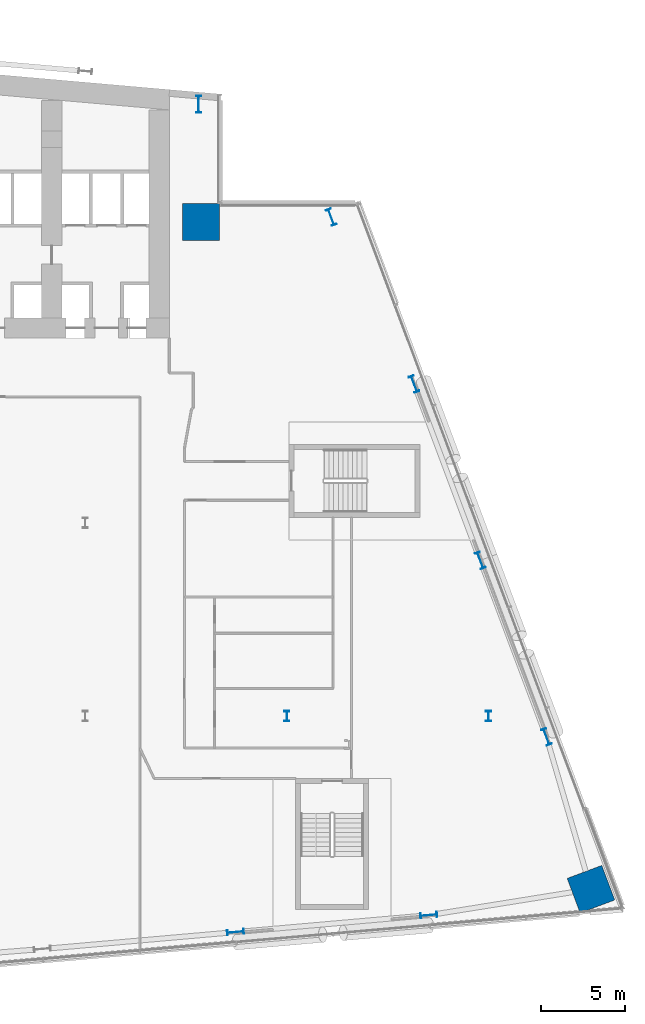
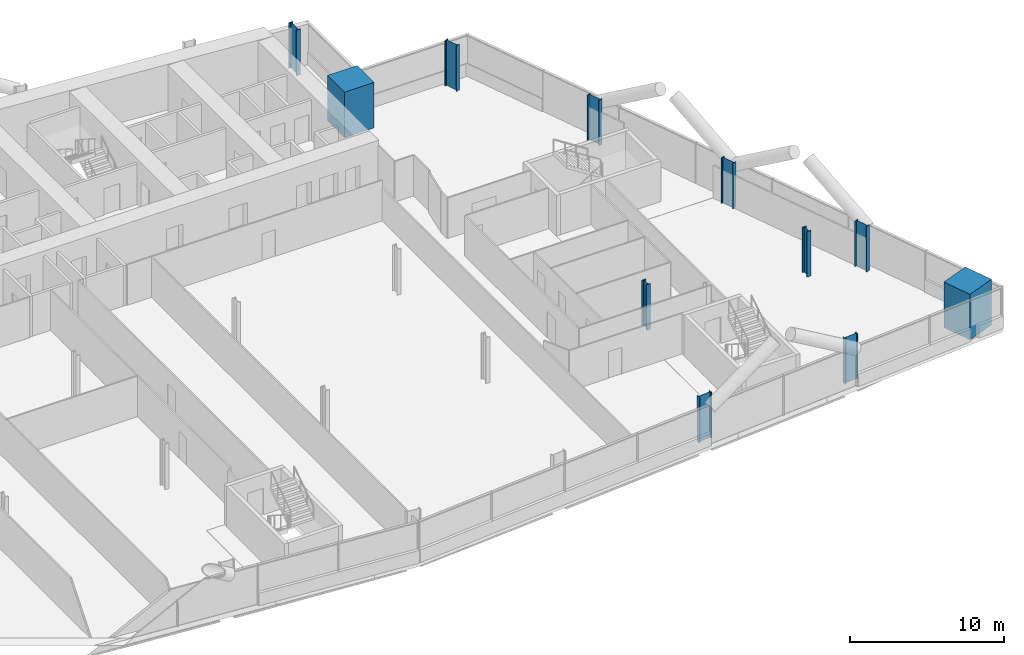
# One storey, part 3 of 24: 11 columns.
"""IFC4 building model written with IfcOpenShell, lengths in metres."""

from ifc_helpers import new_model, si_unit, direction, frame, origin, origin_2d, place, context, subcontext, project, spatial, rectangle, i_section, extrude, material, material_profile, profile_set, type_object, element, save


model = new_model("IFC4")

# Units and contexts
model_context = context("Model", 3, precision=1e-05, world=origin(), true_north=direction((0.0, 1.0)))
body_context = subcontext(model_context, "Body", "Model", "MODEL_VIEW")
ifc_project = project(units=[si_unit("LENGTHUNIT", "METRE"), si_unit("AREAUNIT", "SQUARE_METRE"), si_unit("VOLUMEUNIT", "CUBIC_METRE"), si_unit("PLANEANGLEUNIT", "RADIAN"), si_unit("MASSUNIT", "GRAM", prefix="KILO")], contexts=[model_context])

# Site, building, storey
site_placement = place(None, origin())
site = spatial("IfcSite", under=ifc_project, at=site_placement, CompositionType="ELEMENT")
building_placement = place(site_placement, origin())
building = spatial("IfcBuilding", under=site, at=building_placement, Name="Wharfspan Tower", CompositionType="ELEMENT")
storey_placement = place(building_placement, frame((0.0, 0.0, 66.699951)))
storey = spatial("IfcBuildingStorey", under=building, at=storey_placement, Name="L13", CompositionType="ELEMENT", Elevation=66.699951)

# Columns
ifc_material_1 = material(Name="Steel S355J2", Category="steel")
ifc_material_profile_1 = material_profile(ifc_material_1, i_section(OverallWidth=0.302002, OverallDepth=1.008057, WebThickness=0.020996, FlangeThickness=0.040039, FilletRadius=0.030029, at=origin_2d()))
ifc_profile_set_1 = profile_set([ifc_material_profile_1], Name="Steel S355J2")
column_type_1 = type_object("IfcColumnType", Name="Column HEM 1000", PredefinedType="COLUMN", material=ifc_profile_set_1)
for number, where, z_axis, x_axis, name in (
    (1, (68.942383, -1.354736, 0.0), (0.0, 0.0, 1.0), (0.087156, -0.996198, 0.0), "Perimeter column PS2.2 L13"),
    (2, (80.442383, -0.348633, 0.0), (0.0, 0.0, 1.0), (0.087156, -0.996198, 0.0), "Perimeter column PS2.3 L13"),
    (3, (87.44458, 10.268311, 0.0), (0.0, 0.0, 1.0), (0.936328, 0.351123, 0.0), "Perimeter column PE.1 L13"),
    (4, (83.50708, 20.768311, 0.0), (0.0, 0.0, 1.0), (0.936328, 0.351123, 0.0), "Perimeter column PE.2 L13"),
    (5, (79.56958, 31.268311, 0.0), (0.0, 0.0, 1.0), (0.936328, 0.351123, 0.0), "Perimeter column PE.3 L13"),
    (6, (74.634277, 41.196289, 0.0), (0.0, 0.0, 1.0), (0.936328, 0.351123, 0.0), "Perimeter column PE.4 L13"),
    (7, (66.747803, 47.915283, 0.0), (0.0, 0.0, 1.0), (1.0, 0.0, 0.0), "Perimeter column PNRE-V.1 L13"),
):
    element("IfcColumn", number, at=place(storey_placement, frame(where, z_axis=z_axis, x_axis=x_axis)), inside=storey, type_object=column_type_1, Name=name, PredefinedType="COLUMN", context=body_context, shape_type="SweptSolid", body=[
        extrude(i_section(OverallWidth=0.302002, OverallDepth=1.008057, WebThickness=0.020996, FlangeThickness=0.040039, FilletRadius=0.030029, at=origin_2d()), origin(), (0.0, 0.0, 1.0), 3.600098),
    ])
ifc_material_profile_2 = material_profile(ifc_material_1, i_section(OverallWidth=0.304932, OverallDepth=0.620117, WebThickness=0.020996, FlangeThickness=0.040039, FilletRadius=0.0271, at=origin_2d()))
ifc_profile_set_2 = profile_set([ifc_material_profile_2], Name="Steel S355J2")
column_type_2 = type_object("IfcColumnType", Name="Column HEM 600", PredefinedType="COLUMN", material=ifc_profile_set_2)
for number, where, z_axis, x_axis, name in (
    (8, (72.0, 11.5, 0.0), (0.0, 0.0, 1.0), (1.0, 0.0, 0.0), "Interior column I.1.6 L13"),
    (9, (84.0, 11.5, 0.0), (0.0, 0.0, 1.0), (1.0, 0.0, 0.0), "Interior column I.1.7 L13"),
):
    element("IfcColumn", number, at=place(storey_placement, frame(where, z_axis=z_axis, x_axis=x_axis)), inside=storey, type_object=column_type_2, Name=name, PredefinedType="COLUMN", context=body_context, shape_type="SweptSolid", body=[
        extrude(i_section(OverallWidth=0.304932, OverallDepth=0.620117, WebThickness=0.020996, FlangeThickness=0.040039, FilletRadius=0.0271, at=origin_2d()), origin(), (0.0, 0.0, 1.0), 3.600098),
    ])
ifc_material_2 = material(Name="Concrete C70/85", Category="concrete")
ifc_material_profile_3 = material_profile(ifc_material_2, rectangle(XDim=2.199951, YDim=2.199951, at=origin_2d()))
ifc_profile_set_3 = profile_set([ifc_material_profile_3], Name="Concrete C70/85")
column_type_3 = type_object("IfcColumnType", Name="Mega column 2200 C70/85", PredefinedType="COLUMN", material=ifc_profile_set_3)
for number, where, z_axis, x_axis, name in (
    (10, (66.899902, 40.899902, 0.0), (0.0, 0.0, 1.0), (1.0, 0.0, 0.0), "Mega column MC3 L13"),
    (11, (90.096436, 1.199707, 0.0), (0.0, 0.0, 1.0), (-0.351123, 0.936328, 0.0), "Mega column MC4 L13"),
):
    element("IfcColumn", number, at=place(storey_placement, frame(where, z_axis=z_axis, x_axis=x_axis)), inside=storey, type_object=column_type_3, Name=name, PredefinedType="COLUMN", context=body_context, shape_type="SweptSolid", body=[
        extrude(rectangle(XDim=2.199951, YDim=2.199951, at=origin_2d()), origin(), (0.0, 0.0, 1.0), 3.600098),
    ])

save(model, "model.ifc")
